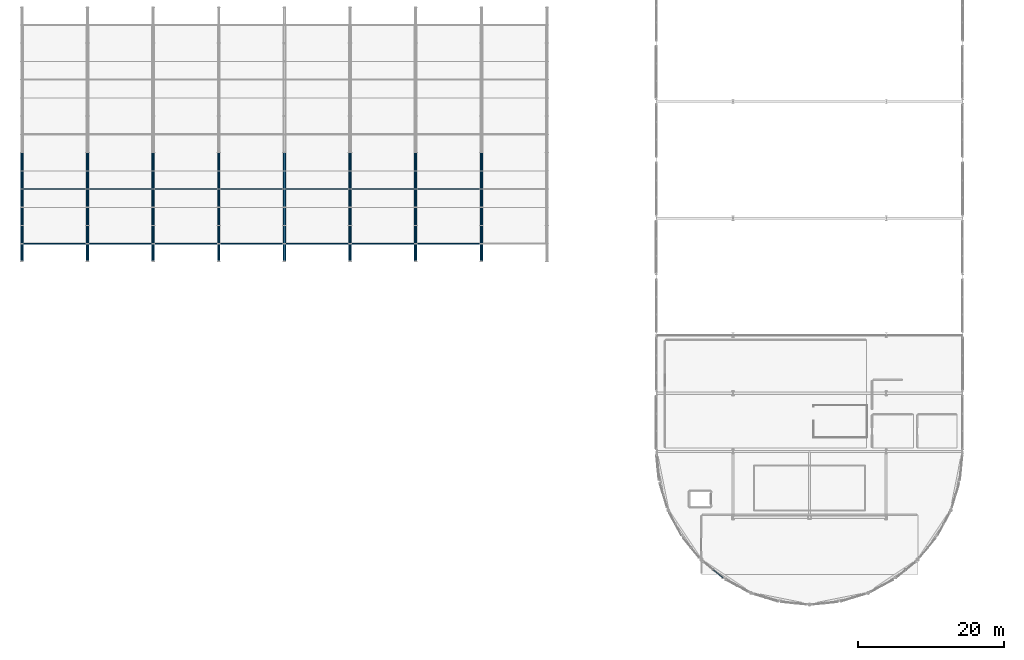
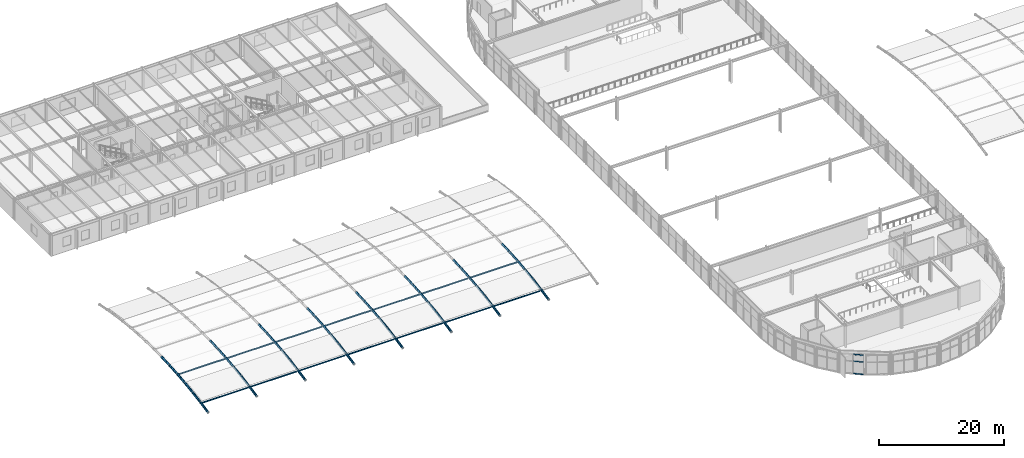
# One storey, part 14 of 105: 65 members, 1 element without a shape of its own.
"""IFC4 building model written with IfcOpenShell, lengths in metres."""

from ifc_helpers import new_model, si_unit, direction, frame, origin, origin_2d, place, context, subcontext, project, spatial, hollow_rectangle, hollow_circle, i_section, extrude, material, layer, layer_set, material_profile, profile_set, type_object, element, aggregate, save


model = new_model("IFC4")

# Units and contexts
model_context = context("Model", 3, precision=1e-05, world=origin(), true_north=direction((0.0, 1.0)))
body_context = subcontext(model_context, "Body", "Model", "MODEL_VIEW")
ifc_project = project(units=[si_unit("LENGTHUNIT", "METRE"), si_unit("AREAUNIT", "SQUARE_METRE"), si_unit("VOLUMEUNIT", "CUBIC_METRE"), si_unit("PLANEANGLEUNIT", "RADIAN"), si_unit("MASSUNIT", "GRAM", prefix="KILO")], contexts=[model_context])

# Site, building, storey
site_placement = place(None, origin())
site = spatial("IfcSite", under=ifc_project, at=site_placement, CompositionType="ELEMENT")
building_placement = place(site_placement, origin())
building = spatial("IfcBuilding", under=site, at=building_placement, Name="Marlcrest Central Station", CompositionType="ELEMENT")
storey_placement = place(building_placement, frame((0.0, 0.0, 15.0)))
storey = spatial("IfcBuildingStorey", under=building, at=storey_placement, Name="L03", CompositionType="ELEMENT", Elevation=15.0)

# Members
ifc_material_1 = material(Name="Steel S355", Category="steel")
ifc_material_profile_1 = material_profile(ifc_material_1, hollow_circle(Radius=0.203125, WallThickness=0.02001953125, at=origin_2d()), Name="CHS 406.4x20")
ifc_profile_set_1 = profile_set([ifc_material_profile_1], Name="Steel S355")
member_type_1 = type_object("IfcMemberType", Name="AC-01", PredefinedType="CHORD", material=ifc_profile_set_1)
member_1_placement = place(storey_placement, frame((0.0, 48.580078125, -0.0830078125), z_axis=(0.0, 0.980359417961, 0.197219196874), x_axis=(-1.0, 0.0, 0.0)))
element("IfcMember", 1, at=member_1_placement, inside=storey, type_object=member_type_1, Name="mem-AC-01-L03-00083", PredefinedType="CHORD", context=body_context, shape_type="SweptSolid", body=[
    extrude(hollow_circle(Radius=0.203125, WallThickness=0.02001953125, at=origin_2d()), origin(), (0.0, 0.0, 1.0), 2.468505859375),
])
member_2_placement = place(storey_placement, frame((0.0, 51.0, 0.40380859375), z_axis=(0.0, 0.98574109921, 0.168269086076), x_axis=(-1.0, 0.0, 0.0)))
element("IfcMember", 2, at=member_2_placement, inside=storey, type_object=member_type_1, Name="mem-AC-01-L03-00087", PredefinedType="CHORD", context=body_context, shape_type="SweptSolid", body=[
    extrude(hollow_circle(Radius=0.203125, WallThickness=0.02001953125, at=origin_2d()), origin(), (0.0, 0.0, 1.0), 2.5361328125),
])
member_3_placement = place(storey_placement, frame((0.0, 53.5, 0.83056640625), z_axis=(0.0, 0.990402740232, 0.138211476152), x_axis=(-1.0, 0.0, 0.0)))
element("IfcMember", 3, at=member_3_placement, inside=storey, type_object=member_type_1, Name="mem-AC-01-L03-00091", PredefinedType="CHORD", context=body_context, shape_type="SweptSolid", body=[
    extrude(hollow_circle(Radius=0.203125, WallThickness=0.02001953125, at=origin_2d()), origin(), (0.0, 0.0, 1.0), 2.524169921875),
])
member_4_placement = place(storey_placement, frame((0.0, 56.0, 1.179443359375), z_axis=(0.0, 0.994155341034, 0.107959056565), x_axis=(-1.0, 0.0, 0.0)))
element("IfcMember", 4, at=member_4_placement, inside=storey, type_object=member_type_1, Name="mem-AC-01-L03-00095", PredefinedType="CHORD", context=body_context, shape_type="SweptSolid", body=[
    extrude(hollow_circle(Radius=0.203125, WallThickness=0.02001953125, at=origin_2d()), origin(), (0.0, 0.0, 1.0), 2.5146484375),
])
member_5_placement = place(storey_placement, frame((0.0, 58.5, 1.450927734375), z_axis=(0.0, 0.996999825732, 0.077403795064), x_axis=(-1.0, 0.0, 0.0)))
element("IfcMember", 5, at=member_5_placement, inside=storey, type_object=member_type_1, Name="mem-AC-01-L03-00099", PredefinedType="CHORD", context=body_context, shape_type="SweptSolid", body=[
    extrude(hollow_circle(Radius=0.203125, WallThickness=0.02001953125, at=origin_2d()), origin(), (0.0, 0.0, 1.0), 2.507568359375),
])
member_6_placement = place(storey_placement, frame((0.0, 61.0, 1.64501953125), z_axis=(0.0, 0.998921349185, 0.046434234591), x_axis=(-1.0, 0.0, 0.0)))
element("IfcMember", 6, at=member_6_placement, inside=storey, type_object=member_type_1, Name="mem-AC-01-L03-00103", PredefinedType="CHORD", context=body_context, shape_type="SweptSolid", body=[
    extrude(hollow_circle(Radius=0.203125, WallThickness=0.02001953125, at=origin_2d()), origin(), (0.0, 0.0, 1.0), 2.502685546875),
])
member_7_placement = place(storey_placement, frame((9.0, 48.580078125, -0.0830078125), z_axis=(0.0, 0.980359417961, 0.197219196874), x_axis=(-1.0, 0.0, 0.0)))
element("IfcMember", 7, at=member_7_placement, inside=storey, type_object=member_type_1, Name="mem-AC-01-L03-00199", PredefinedType="CHORD", context=body_context, shape_type="SweptSolid", body=[
    extrude(hollow_circle(Radius=0.203125, WallThickness=0.02001953125, at=origin_2d()), origin(), (0.0, 0.0, 1.0), 2.468505859375),
])
member_8_placement = place(storey_placement, frame((9.0, 51.0, 0.40380859375), z_axis=(0.0, 0.98574109921, 0.168269086076), x_axis=(-1.0, 0.0, 0.0)))
element("IfcMember", 8, at=member_8_placement, inside=storey, type_object=member_type_1, Name="mem-AC-01-L03-00203", PredefinedType="CHORD", context=body_context, shape_type="SweptSolid", body=[
    extrude(hollow_circle(Radius=0.203125, WallThickness=0.02001953125, at=origin_2d()), origin(), (0.0, 0.0, 1.0), 2.5361328125),
])
member_9_placement = place(storey_placement, frame((9.0, 53.5, 0.83056640625), z_axis=(0.0, 0.990402740232, 0.138211476152), x_axis=(-1.0, 0.0, 0.0)))
element("IfcMember", 9, at=member_9_placement, inside=storey, type_object=member_type_1, Name="mem-AC-01-L03-00207", PredefinedType="CHORD", context=body_context, shape_type="SweptSolid", body=[
    extrude(hollow_circle(Radius=0.203125, WallThickness=0.02001953125, at=origin_2d()), origin(), (0.0, 0.0, 1.0), 2.524169921875),
])
member_10_placement = place(storey_placement, frame((9.0, 56.0, 1.179443359375), z_axis=(0.0, 0.994155341034, 0.107959056565), x_axis=(-1.0, 0.0, 0.0)))
element("IfcMember", 10, at=member_10_placement, inside=storey, type_object=member_type_1, Name="mem-AC-01-L03-00211", PredefinedType="CHORD", context=body_context, shape_type="SweptSolid", body=[
    extrude(hollow_circle(Radius=0.203125, WallThickness=0.02001953125, at=origin_2d()), origin(), (0.0, 0.0, 1.0), 2.5146484375),
])
member_11_placement = place(storey_placement, frame((9.0, 58.5, 1.450927734375), z_axis=(0.0, 0.996999825732, 0.077403795064), x_axis=(-1.0, 0.0, 0.0)))
element("IfcMember", 11, at=member_11_placement, inside=storey, type_object=member_type_1, Name="mem-AC-01-L03-00215", PredefinedType="CHORD", context=body_context, shape_type="SweptSolid", body=[
    extrude(hollow_circle(Radius=0.203125, WallThickness=0.02001953125, at=origin_2d()), origin(), (0.0, 0.0, 1.0), 2.507568359375),
])
member_12_placement = place(storey_placement, frame((9.0, 61.0, 1.64501953125), z_axis=(0.0, 0.998921349185, 0.046434234591), x_axis=(-1.0, 0.0, 0.0)))
element("IfcMember", 12, at=member_12_placement, inside=storey, type_object=member_type_1, Name="mem-AC-01-L03-00219", PredefinedType="CHORD", context=body_context, shape_type="SweptSolid", body=[
    extrude(hollow_circle(Radius=0.203125, WallThickness=0.02001953125, at=origin_2d()), origin(), (0.0, 0.0, 1.0), 2.502685546875),
])
member_13_placement = place(storey_placement, frame((18.0, 48.580078125, -0.0830078125), z_axis=(0.0, 0.980359417961, 0.197219196874), x_axis=(-1.0, 0.0, 0.0)))
element("IfcMember", 13, at=member_13_placement, inside=storey, type_object=member_type_1, Name="mem-AC-01-L03-00315", PredefinedType="CHORD", context=body_context, shape_type="SweptSolid", body=[
    extrude(hollow_circle(Radius=0.203125, WallThickness=0.02001953125, at=origin_2d()), origin(), (0.0, 0.0, 1.0), 2.468505859375),
])
member_14_placement = place(storey_placement, frame((18.0, 51.0, 0.40380859375), z_axis=(0.0, 0.98574109921, 0.168269086076), x_axis=(-1.0, 0.0, 0.0)))
element("IfcMember", 14, at=member_14_placement, inside=storey, type_object=member_type_1, Name="mem-AC-01-L03-00319", PredefinedType="CHORD", context=body_context, shape_type="SweptSolid", body=[
    extrude(hollow_circle(Radius=0.203125, WallThickness=0.02001953125, at=origin_2d()), origin(), (0.0, 0.0, 1.0), 2.5361328125),
])
member_15_placement = place(storey_placement, frame((18.0, 53.5, 0.83056640625), z_axis=(0.0, 0.990402740232, 0.138211476152), x_axis=(-1.0, 0.0, 0.0)))
element("IfcMember", 15, at=member_15_placement, inside=storey, type_object=member_type_1, Name="mem-AC-01-L03-00323", PredefinedType="CHORD", context=body_context, shape_type="SweptSolid", body=[
    extrude(hollow_circle(Radius=0.203125, WallThickness=0.02001953125, at=origin_2d()), origin(), (0.0, 0.0, 1.0), 2.524169921875),
])
member_16_placement = place(storey_placement, frame((18.0, 56.0, 1.179443359375), z_axis=(0.0, 0.994155341034, 0.107959056565), x_axis=(-1.0, 0.0, 0.0)))
element("IfcMember", 16, at=member_16_placement, inside=storey, type_object=member_type_1, Name="mem-AC-01-L03-00327", PredefinedType="CHORD", context=body_context, shape_type="SweptSolid", body=[
    extrude(hollow_circle(Radius=0.203125, WallThickness=0.02001953125, at=origin_2d()), origin(), (0.0, 0.0, 1.0), 2.5146484375),
])
member_17_placement = place(storey_placement, frame((18.0, 58.5, 1.450927734375), z_axis=(0.0, 0.996999825732, 0.077403795064), x_axis=(-1.0, 0.0, 0.0)))
element("IfcMember", 17, at=member_17_placement, inside=storey, type_object=member_type_1, Name="mem-AC-01-L03-00331", PredefinedType="CHORD", context=body_context, shape_type="SweptSolid", body=[
    extrude(hollow_circle(Radius=0.203125, WallThickness=0.02001953125, at=origin_2d()), origin(), (0.0, 0.0, 1.0), 2.507568359375),
])
member_18_placement = place(storey_placement, frame((18.0, 61.0, 1.64501953125), z_axis=(0.0, 0.998921349185, 0.046434234591), x_axis=(-1.0, 0.0, 0.0)))
element("IfcMember", 18, at=member_18_placement, inside=storey, type_object=member_type_1, Name="mem-AC-01-L03-00335", PredefinedType="CHORD", context=body_context, shape_type="SweptSolid", body=[
    extrude(hollow_circle(Radius=0.203125, WallThickness=0.02001953125, at=origin_2d()), origin(), (0.0, 0.0, 1.0), 2.502685546875),
])
member_19_placement = place(storey_placement, frame((27.0, 48.580078125, -0.0830078125), z_axis=(0.0, 0.980359417961, 0.197219196874), x_axis=(-1.0, 0.0, 0.0)))
element("IfcMember", 19, at=member_19_placement, inside=storey, type_object=member_type_1, Name="mem-AC-01-L03-00431", PredefinedType="CHORD", context=body_context, shape_type="SweptSolid", body=[
    extrude(hollow_circle(Radius=0.203125, WallThickness=0.02001953125, at=origin_2d()), origin(), (0.0, 0.0, 1.0), 2.468505859375),
])
member_20_placement = place(storey_placement, frame((27.0, 51.0, 0.40380859375), z_axis=(0.0, 0.98574109921, 0.168269086076), x_axis=(-1.0, 0.0, 0.0)))
element("IfcMember", 20, at=member_20_placement, inside=storey, type_object=member_type_1, Name="mem-AC-01-L03-00435", PredefinedType="CHORD", context=body_context, shape_type="SweptSolid", body=[
    extrude(hollow_circle(Radius=0.203125, WallThickness=0.02001953125, at=origin_2d()), origin(), (0.0, 0.0, 1.0), 2.5361328125),
])
member_21_placement = place(storey_placement, frame((27.0, 53.5, 0.83056640625), z_axis=(0.0, 0.990402740232, 0.138211476152), x_axis=(-1.0, 0.0, 0.0)))
element("IfcMember", 21, at=member_21_placement, inside=storey, type_object=member_type_1, Name="mem-AC-01-L03-00439", PredefinedType="CHORD", context=body_context, shape_type="SweptSolid", body=[
    extrude(hollow_circle(Radius=0.203125, WallThickness=0.02001953125, at=origin_2d()), origin(), (0.0, 0.0, 1.0), 2.524169921875),
])
member_22_placement = place(storey_placement, frame((27.0, 56.0, 1.179443359375), z_axis=(0.0, 0.994155341034, 0.107959056565), x_axis=(-1.0, 0.0, 0.0)))
element("IfcMember", 22, at=member_22_placement, inside=storey, type_object=member_type_1, Name="mem-AC-01-L03-00443", PredefinedType="CHORD", context=body_context, shape_type="SweptSolid", body=[
    extrude(hollow_circle(Radius=0.203125, WallThickness=0.02001953125, at=origin_2d()), origin(), (0.0, 0.0, 1.0), 2.5146484375),
])
member_23_placement = place(storey_placement, frame((27.0, 58.5, 1.450927734375), z_axis=(0.0, 0.996999825732, 0.077403795064), x_axis=(-1.0, 0.0, 0.0)))
element("IfcMember", 23, at=member_23_placement, inside=storey, type_object=member_type_1, Name="mem-AC-01-L03-00447", PredefinedType="CHORD", context=body_context, shape_type="SweptSolid", body=[
    extrude(hollow_circle(Radius=0.203125, WallThickness=0.02001953125, at=origin_2d()), origin(), (0.0, 0.0, 1.0), 2.507568359375),
])
member_24_placement = place(storey_placement, frame((27.0, 61.0, 1.64501953125), z_axis=(0.0, 0.998921349185, 0.046434234591), x_axis=(-1.0, 0.0, 0.0)))
element("IfcMember", 24, at=member_24_placement, inside=storey, type_object=member_type_1, Name="mem-AC-01-L03-00451", PredefinedType="CHORD", context=body_context, shape_type="SweptSolid", body=[
    extrude(hollow_circle(Radius=0.203125, WallThickness=0.02001953125, at=origin_2d()), origin(), (0.0, 0.0, 1.0), 2.502685546875),
])
member_25_placement = place(storey_placement, frame((36.0, 48.580078125, -0.0830078125), z_axis=(0.0, 0.980359417961, 0.197219196874), x_axis=(-1.0, 0.0, 0.0)))
element("IfcMember", 25, at=member_25_placement, inside=storey, type_object=member_type_1, Name="mem-AC-01-L03-00547", PredefinedType="CHORD", context=body_context, shape_type="SweptSolid", body=[
    extrude(hollow_circle(Radius=0.203125, WallThickness=0.02001953125, at=origin_2d()), origin(), (0.0, 0.0, 1.0), 2.468505859375),
])
member_26_placement = place(storey_placement, frame((36.0, 51.0, 0.40380859375), z_axis=(0.0, 0.98574109921, 0.168269086076), x_axis=(-1.0, 0.0, 0.0)))
element("IfcMember", 26, at=member_26_placement, inside=storey, type_object=member_type_1, Name="mem-AC-01-L03-00551", PredefinedType="CHORD", context=body_context, shape_type="SweptSolid", body=[
    extrude(hollow_circle(Radius=0.203125, WallThickness=0.02001953125, at=origin_2d()), origin(), (0.0, 0.0, 1.0), 2.5361328125),
])
member_27_placement = place(storey_placement, frame((36.0, 53.5, 0.83056640625), z_axis=(0.0, 0.990402740232, 0.138211476152), x_axis=(-1.0, 0.0, 0.0)))
element("IfcMember", 27, at=member_27_placement, inside=storey, type_object=member_type_1, Name="mem-AC-01-L03-00555", PredefinedType="CHORD", context=body_context, shape_type="SweptSolid", body=[
    extrude(hollow_circle(Radius=0.203125, WallThickness=0.02001953125, at=origin_2d()), origin(), (0.0, 0.0, 1.0), 2.524169921875),
])
member_28_placement = place(storey_placement, frame((36.0, 56.0, 1.179443359375), z_axis=(0.0, 0.994155341034, 0.107959056565), x_axis=(-1.0, 0.0, 0.0)))
element("IfcMember", 28, at=member_28_placement, inside=storey, type_object=member_type_1, Name="mem-AC-01-L03-00559", PredefinedType="CHORD", context=body_context, shape_type="SweptSolid", body=[
    extrude(hollow_circle(Radius=0.203125, WallThickness=0.02001953125, at=origin_2d()), origin(), (0.0, 0.0, 1.0), 2.5146484375),
])
member_29_placement = place(storey_placement, frame((36.0, 58.5, 1.450927734375), z_axis=(0.0, 0.996999825732, 0.077403795064), x_axis=(-1.0, 0.0, 0.0)))
element("IfcMember", 29, at=member_29_placement, inside=storey, type_object=member_type_1, Name="mem-AC-01-L03-00563", PredefinedType="CHORD", context=body_context, shape_type="SweptSolid", body=[
    extrude(hollow_circle(Radius=0.203125, WallThickness=0.02001953125, at=origin_2d()), origin(), (0.0, 0.0, 1.0), 2.507568359375),
])
member_30_placement = place(storey_placement, frame((36.0, 61.0, 1.64501953125), z_axis=(0.0, 0.998921349185, 0.046434234591), x_axis=(-1.0, 0.0, 0.0)))
element("IfcMember", 30, at=member_30_placement, inside=storey, type_object=member_type_1, Name="mem-AC-01-L03-00567", PredefinedType="CHORD", context=body_context, shape_type="SweptSolid", body=[
    extrude(hollow_circle(Radius=0.203125, WallThickness=0.02001953125, at=origin_2d()), origin(), (0.0, 0.0, 1.0), 2.502685546875),
])
member_31_placement = place(storey_placement, frame((45.0, 48.580078125, -0.0830078125), z_axis=(0.0, 0.980359417961, 0.197219196874), x_axis=(-1.0, 0.0, 0.0)))
element("IfcMember", 31, at=member_31_placement, inside=storey, type_object=member_type_1, Name="mem-AC-01-L03-00663", PredefinedType="CHORD", context=body_context, shape_type="SweptSolid", body=[
    extrude(hollow_circle(Radius=0.203125, WallThickness=0.02001953125, at=origin_2d()), origin(), (0.0, 0.0, 1.0), 2.468505859375),
])
member_32_placement = place(storey_placement, frame((45.0, 51.0, 0.40380859375), z_axis=(0.0, 0.98574109921, 0.168269086076), x_axis=(-1.0, 0.0, 0.0)))
element("IfcMember", 32, at=member_32_placement, inside=storey, type_object=member_type_1, Name="mem-AC-01-L03-00667", PredefinedType="CHORD", context=body_context, shape_type="SweptSolid", body=[
    extrude(hollow_circle(Radius=0.203125, WallThickness=0.02001953125, at=origin_2d()), origin(), (0.0, 0.0, 1.0), 2.5361328125),
])
member_33_placement = place(storey_placement, frame((45.0, 53.5, 0.83056640625), z_axis=(0.0, 0.990402740232, 0.138211476152), x_axis=(-1.0, 0.0, 0.0)))
element("IfcMember", 33, at=member_33_placement, inside=storey, type_object=member_type_1, Name="mem-AC-01-L03-00671", PredefinedType="CHORD", context=body_context, shape_type="SweptSolid", body=[
    extrude(hollow_circle(Radius=0.203125, WallThickness=0.02001953125, at=origin_2d()), origin(), (0.0, 0.0, 1.0), 2.524169921875),
])
member_34_placement = place(storey_placement, frame((45.0, 56.0, 1.179443359375), z_axis=(0.0, 0.994155341034, 0.107959056565), x_axis=(-1.0, 0.0, 0.0)))
element("IfcMember", 34, at=member_34_placement, inside=storey, type_object=member_type_1, Name="mem-AC-01-L03-00675", PredefinedType="CHORD", context=body_context, shape_type="SweptSolid", body=[
    extrude(hollow_circle(Radius=0.203125, WallThickness=0.02001953125, at=origin_2d()), origin(), (0.0, 0.0, 1.0), 2.5146484375),
])
member_35_placement = place(storey_placement, frame((45.0, 58.5, 1.450927734375), z_axis=(0.0, 0.996999825732, 0.077403795064), x_axis=(-1.0, 0.0, 0.0)))
element("IfcMember", 35, at=member_35_placement, inside=storey, type_object=member_type_1, Name="mem-AC-01-L03-00679", PredefinedType="CHORD", context=body_context, shape_type="SweptSolid", body=[
    extrude(hollow_circle(Radius=0.203125, WallThickness=0.02001953125, at=origin_2d()), origin(), (0.0, 0.0, 1.0), 2.507568359375),
])
member_36_placement = place(storey_placement, frame((45.0, 61.0, 1.64501953125), z_axis=(0.0, 0.998921349185, 0.046434234591), x_axis=(-1.0, 0.0, 0.0)))
element("IfcMember", 36, at=member_36_placement, inside=storey, type_object=member_type_1, Name="mem-AC-01-L03-00683", PredefinedType="CHORD", context=body_context, shape_type="SweptSolid", body=[
    extrude(hollow_circle(Radius=0.203125, WallThickness=0.02001953125, at=origin_2d()), origin(), (0.0, 0.0, 1.0), 2.502685546875),
])
member_37_placement = place(storey_placement, frame((54.0, 48.580078125, -0.0830078125), z_axis=(0.0, 0.980359417961, 0.197219196874), x_axis=(-1.0, 0.0, 0.0)))
element("IfcMember", 37, at=member_37_placement, inside=storey, type_object=member_type_1, Name="mem-AC-01-L03-00779", PredefinedType="CHORD", context=body_context, shape_type="SweptSolid", body=[
    extrude(hollow_circle(Radius=0.203125, WallThickness=0.02001953125, at=origin_2d()), origin(), (0.0, 0.0, 1.0), 2.468505859375),
])
member_38_placement = place(storey_placement, frame((54.0, 51.0, 0.40380859375), z_axis=(0.0, 0.98574109921, 0.168269086076), x_axis=(-1.0, 0.0, 0.0)))
element("IfcMember", 38, at=member_38_placement, inside=storey, type_object=member_type_1, Name="mem-AC-01-L03-00783", PredefinedType="CHORD", context=body_context, shape_type="SweptSolid", body=[
    extrude(hollow_circle(Radius=0.203125, WallThickness=0.02001953125, at=origin_2d()), origin(), (0.0, 0.0, 1.0), 2.5361328125),
])
member_39_placement = place(storey_placement, frame((54.0, 53.5, 0.83056640625), z_axis=(0.0, 0.990402740232, 0.138211476152), x_axis=(-1.0, 0.0, 0.0)))
element("IfcMember", 39, at=member_39_placement, inside=storey, type_object=member_type_1, Name="mem-AC-01-L03-00787", PredefinedType="CHORD", context=body_context, shape_type="SweptSolid", body=[
    extrude(hollow_circle(Radius=0.203125, WallThickness=0.02001953125, at=origin_2d()), origin(), (0.0, 0.0, 1.0), 2.524169921875),
])
member_40_placement = place(storey_placement, frame((54.0, 56.0, 1.179443359375), z_axis=(0.0, 0.994155341034, 0.107959056565), x_axis=(-1.0, 0.0, 0.0)))
element("IfcMember", 40, at=member_40_placement, inside=storey, type_object=member_type_1, Name="mem-AC-01-L03-00791", PredefinedType="CHORD", context=body_context, shape_type="SweptSolid", body=[
    extrude(hollow_circle(Radius=0.203125, WallThickness=0.02001953125, at=origin_2d()), origin(), (0.0, 0.0, 1.0), 2.5146484375),
])
member_41_placement = place(storey_placement, frame((54.0, 58.5, 1.450927734375), z_axis=(0.0, 0.996999825732, 0.077403795064), x_axis=(-1.0, 0.0, 0.0)))
element("IfcMember", 41, at=member_41_placement, inside=storey, type_object=member_type_1, Name="mem-AC-01-L03-00795", PredefinedType="CHORD", context=body_context, shape_type="SweptSolid", body=[
    extrude(hollow_circle(Radius=0.203125, WallThickness=0.02001953125, at=origin_2d()), origin(), (0.0, 0.0, 1.0), 2.507568359375),
])
member_42_placement = place(storey_placement, frame((54.0, 61.0, 1.64501953125), z_axis=(0.0, 0.998921349185, 0.046434234591), x_axis=(-1.0, 0.0, 0.0)))
element("IfcMember", 42, at=member_42_placement, inside=storey, type_object=member_type_1, Name="mem-AC-01-L03-00799", PredefinedType="CHORD", context=body_context, shape_type="SweptSolid", body=[
    extrude(hollow_circle(Radius=0.203125, WallThickness=0.02001953125, at=origin_2d()), origin(), (0.0, 0.0, 1.0), 2.502685546875),
])
member_43_placement = place(storey_placement, frame((63.0, 48.580078125, -0.0830078125), z_axis=(0.0, 0.980359417961, 0.197219196874), x_axis=(-1.0, 0.0, 0.0)))
element("IfcMember", 43, at=member_43_placement, inside=storey, type_object=member_type_1, Name="mem-AC-01-L03-00895", PredefinedType="CHORD", context=body_context, shape_type="SweptSolid", body=[
    extrude(hollow_circle(Radius=0.203125, WallThickness=0.02001953125, at=origin_2d()), origin(), (0.0, 0.0, 1.0), 2.468505859375),
])
member_44_placement = place(storey_placement, frame((63.0, 51.0, 0.40380859375), z_axis=(0.0, 0.98574109921, 0.168269086076), x_axis=(-1.0, 0.0, 0.0)))
element("IfcMember", 44, at=member_44_placement, inside=storey, type_object=member_type_1, Name="mem-AC-01-L03-00899", PredefinedType="CHORD", context=body_context, shape_type="SweptSolid", body=[
    extrude(hollow_circle(Radius=0.203125, WallThickness=0.02001953125, at=origin_2d()), origin(), (0.0, 0.0, 1.0), 2.5361328125),
])
member_45_placement = place(storey_placement, frame((63.0, 53.5, 0.83056640625), z_axis=(0.0, 0.990402740232, 0.138211476152), x_axis=(-1.0, 0.0, 0.0)))
element("IfcMember", 45, at=member_45_placement, inside=storey, type_object=member_type_1, Name="mem-AC-01-L03-00903", PredefinedType="CHORD", context=body_context, shape_type="SweptSolid", body=[
    extrude(hollow_circle(Radius=0.203125, WallThickness=0.02001953125, at=origin_2d()), origin(), (0.0, 0.0, 1.0), 2.524169921875),
])
member_46_placement = place(storey_placement, frame((63.0, 56.0, 1.179443359375), z_axis=(0.0, 0.994155341034, 0.107959056565), x_axis=(-1.0, 0.0, 0.0)))
element("IfcMember", 46, at=member_46_placement, inside=storey, type_object=member_type_1, Name="mem-AC-01-L03-00907", PredefinedType="CHORD", context=body_context, shape_type="SweptSolid", body=[
    extrude(hollow_circle(Radius=0.203125, WallThickness=0.02001953125, at=origin_2d()), origin(), (0.0, 0.0, 1.0), 2.5146484375),
])
member_47_placement = place(storey_placement, frame((63.0, 58.5, 1.450927734375), z_axis=(0.0, 0.996999825732, 0.077403795064), x_axis=(-1.0, 0.0, 0.0)))
element("IfcMember", 47, at=member_47_placement, inside=storey, type_object=member_type_1, Name="mem-AC-01-L03-00911", PredefinedType="CHORD", context=body_context, shape_type="SweptSolid", body=[
    extrude(hollow_circle(Radius=0.203125, WallThickness=0.02001953125, at=origin_2d()), origin(), (0.0, 0.0, 1.0), 2.507568359375),
])
member_48_placement = place(storey_placement, frame((63.0, 61.0, 1.64501953125), z_axis=(0.0, 0.998921349185, 0.046434234591), x_axis=(-1.0, 0.0, 0.0)))
element("IfcMember", 48, at=member_48_placement, inside=storey, type_object=member_type_1, Name="mem-AC-01-L03-00915", PredefinedType="CHORD", context=body_context, shape_type="SweptSolid", body=[
    extrude(hollow_circle(Radius=0.203125, WallThickness=0.02001953125, at=origin_2d()), origin(), (0.0, 0.0, 1.0), 2.502685546875),
])
ifc_material_profile_2 = material_profile(ifc_material_1, i_section(OverallWidth=0.10009765625, OverallDepth=0.199951171875, WebThickness=0.005615234375, FlangeThickness=0.008544921875, FilletRadius=0.011962890625, at=origin_2d()), Name="IPE 200")
ifc_profile_set_2 = profile_set([ifc_material_profile_2], Name="Steel S355")
member_type_2 = type_object("IfcMemberType", Name="PR-01", PredefinedType="PURLIN", material=ifc_profile_set_2)
for number, where, z_axis, x_axis, name in (
    (49, (0.179931640625, 58.5, 1.31103515625), (1.0, 0.0, 0.0), (0.0, 1.0, 0.0), "mem-PR-01-L03-00168"),
    (50, (9.179931640625, 58.5, 1.31103515625), (1.0, 0.0, 0.0), (0.0, 1.0, 0.0), "mem-PR-01-L03-00284"),
    (51, (18.179931640625, 58.5, 1.31103515625), (1.0, 0.0, 0.0), (0.0, 1.0, 0.0), "mem-PR-01-L03-00400"),
    (52, (27.179931640625, 58.5, 1.31103515625), (1.0, 0.0, 0.0), (0.0, 1.0, 0.0), "mem-PR-01-L03-00516"),
    (53, (36.179931640625, 58.5, 1.31103515625), (1.0, 0.0, 0.0), (0.0, 1.0, 0.0), "mem-PR-01-L03-00632"),
    (54, (45.179931640625, 58.5, 1.31103515625), (1.0, 0.0, 0.0), (0.0, 1.0, 0.0), "mem-PR-01-L03-00748"),
    (55, (54.179931640625, 58.5, 1.31103515625), (1.0, 0.0, 0.0), (0.0, 1.0, 0.0), "mem-PR-01-L03-00864"),
):
    element("IfcMember", number, at=place(storey_placement, frame(where, z_axis=z_axis, x_axis=x_axis)), inside=storey, type_object=member_type_2, Name=name, PredefinedType="PURLIN", context=body_context, shape_type="SweptSolid", body=[
        extrude(i_section(OverallWidth=0.10009765625, OverallDepth=0.199951171875, WebThickness=0.005615234375, FlangeThickness=0.008544921875, FilletRadius=0.011962890625, at=origin_2d()), origin(), (0.0, 0.0, 1.0), 8.64013671875),
    ])
ifc_material_profile_3 = material_profile(ifc_material_1, i_section(OverallWidth=0.1201171875, OverallDepth=0.239990234375, WebThickness=0.006103515625, FlangeThickness=0.009765625, FilletRadius=0.014892578125, at=origin_2d()), Name="IPE 240")
ifc_profile_set_3 = profile_set([ifc_material_profile_3], Name="Steel S355")
member_type_3 = type_object("IfcMemberType", Name="PR-02", PredefinedType="PURLIN", material=ifc_profile_set_3)
for number, where, z_axis, x_axis, name in (
    (56, (0.179931640625, 51.0, 0.263916015625), (1.0, 0.0, 0.0), (0.0, 1.0, 0.0), "mem-PR-02-L03-00167"),
    (57, (9.179931640625, 51.0, 0.263916015625), (1.0, 0.0, 0.0), (0.0, 1.0, 0.0), "mem-PR-02-L03-00283"),
    (58, (18.179931640625, 51.0, 0.263916015625), (1.0, 0.0, 0.0), (0.0, 1.0, 0.0), "mem-PR-02-L03-00399"),
    (59, (27.179931640625, 51.0, 0.263916015625), (1.0, 0.0, 0.0), (0.0, 1.0, 0.0), "mem-PR-02-L03-00515"),
    (60, (36.179931640625, 51.0, 0.263916015625), (1.0, 0.0, 0.0), (0.0, 1.0, 0.0), "mem-PR-02-L03-00631"),
    (61, (45.179931640625, 51.0, 0.263916015625), (1.0, 0.0, 0.0), (0.0, 1.0, 0.0), "mem-PR-02-L03-00747"),
    (62, (54.179931640625, 51.0, 0.263916015625), (1.0, 0.0, 0.0), (0.0, 1.0, 0.0), "mem-PR-02-L03-00863"),
):
    element("IfcMember", number, at=place(storey_placement, frame(where, z_axis=z_axis, x_axis=x_axis)), inside=storey, type_object=member_type_3, Name=name, PredefinedType="PURLIN", context=body_context, shape_type="SweptSolid", body=[
        extrude(i_section(OverallWidth=0.1201171875, OverallDepth=0.239990234375, WebThickness=0.006103515625, FlangeThickness=0.009765625, FilletRadius=0.014892578125, at=origin_2d()), origin(), (0.0, 0.0, 1.0), 8.64013671875),
    ])

# Curtain wall, members
ifc_material_2 = material(Name="Anodised aluminium and hurricane laminated glass", Category="aluminium")
ifc_layer = layer(ifc_material_2, 0.219970703125, Name="CW-U1")
ifc_layer_set = layer_set([ifc_layer], Name="Anodised aluminium and hurricane laminated glass")
curtain_wall_type = type_object("IfcCurtainWallType", Name="CW-U1", PredefinedType="USERDEFINED", material=ifc_layer_set)
curtain_wall_placement = place(storey_placement, origin())
curtain_wall = element("IfcCurtainWall", 63, at=curtain_wall_placement, inside=storey, type_object=curtain_wall_type, Name="cw-L03-0045", ObjectType="UNITISED_CURTAIN_WALL", PredefinedType="USERDEFINED")
ifc_material_3 = material(Name="Anodised aluminium 6063-T6", Category="aluminium")
ifc_material_profile_4 = material_profile(ifc_material_3, hollow_rectangle(XDim=0.06005859375, YDim=0.14990234375, WallThickness=0.00390625, at=origin_2d()), Name="AA-RHS 150x60x4")
ifc_profile_set_4 = profile_set([ifc_material_profile_4], Name="Anodised aluminium 6063-T6")
member_type_4 = type_object("IfcMemberType", Name="TR-01", PredefinedType="USERDEFINED", material=ifc_profile_set_4)
member_49_placement = place(storey_placement, frame((96.14453125, 5.193603515625, 0.0400390625), z_axis=(-0.772912318539, 0.634512842936, 0.0), x_axis=(-0.634512842936, -0.772912318539, 0.0)))
member_49 = element("IfcMember", 64, at=member_49_placement, type_object=member_type_4, Name="cw-L03-0045-tr-0-sill", ObjectType="TRANSOM", PredefinedType="USERDEFINED", context=body_context, shape_type="SweptSolid", body=[
    extrude(hollow_rectangle(XDim=0.06005859375, YDim=0.14990234375, WallThickness=0.00390625, at=origin_2d()), origin(), (0.0, 0.0, 1.0), 1.677490234375),
])
member_50_placement = place(storey_placement, frame((96.14453125, 5.193603515625, 2.469970703125), z_axis=(-0.772912318539, 0.634512842936, 0.0), x_axis=(-0.634512842936, -0.772912318539, 0.0)))
member_50 = element("IfcMember", 65, at=member_50_placement, type_object=member_type_4, Name="cw-L03-0045-tr-0-mid", ObjectType="TRANSOM", PredefinedType="USERDEFINED", context=body_context, shape_type="SweptSolid", body=[
    extrude(hollow_rectangle(XDim=0.06005859375, YDim=0.14990234375, WallThickness=0.00390625, at=origin_2d()), origin(), (0.0, 0.0, 1.0), 1.677490234375),
])
member_51_placement = place(storey_placement, frame((96.14453125, 5.193603515625, 3.760009765625), z_axis=(-0.772912318539, 0.634512842936, 0.0), x_axis=(-0.634512842936, -0.772912318539, 0.0)))
member_51 = element("IfcMember", 66, at=member_51_placement, type_object=member_type_4, Name="cw-L03-0045-tr-0-head", ObjectType="TRANSOM", PredefinedType="USERDEFINED", context=body_context, shape_type="SweptSolid", body=[
    extrude(hollow_rectangle(XDim=0.06005859375, YDim=0.14990234375, WallThickness=0.00390625, at=origin_2d()), origin(), (0.0, 0.0, 1.0), 1.677490234375),
])
aggregate(curtain_wall, [member_49, member_50, member_51])

save(model, "model.ifc")
